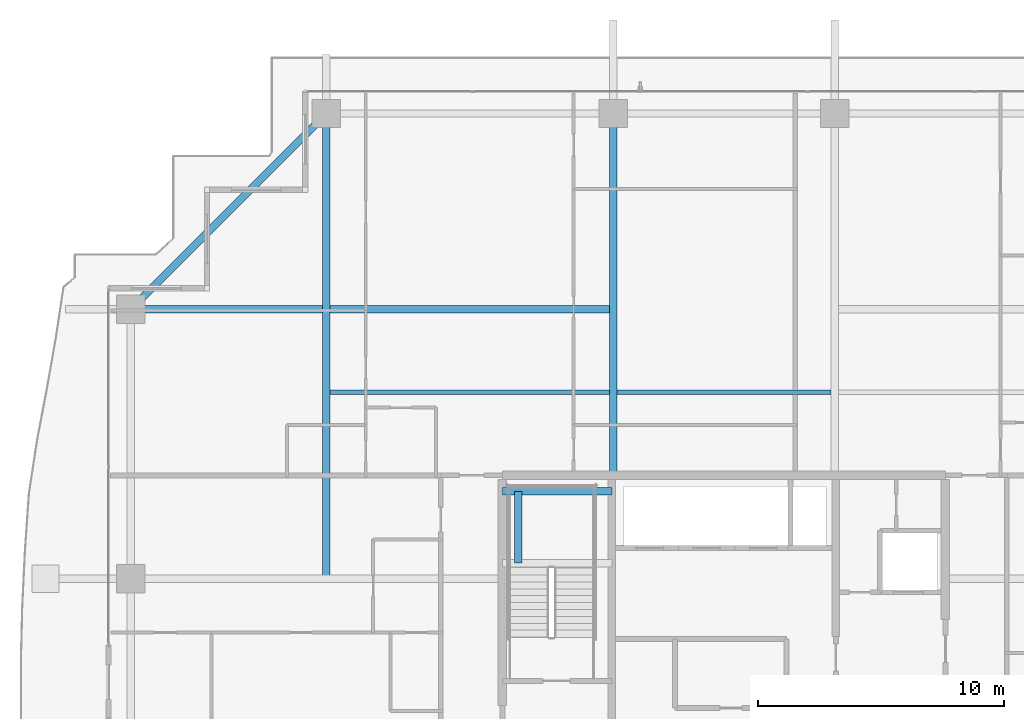
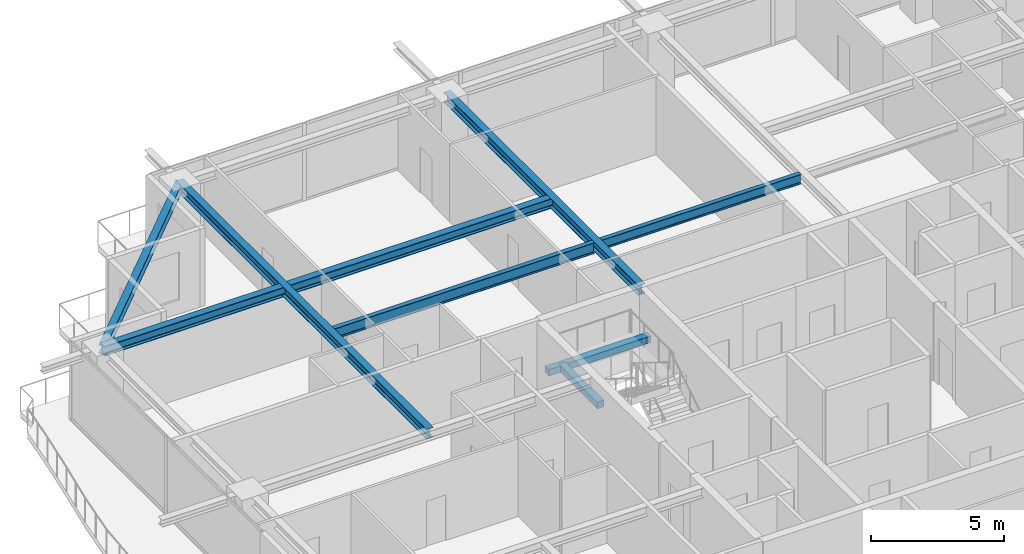
# One storey, part 17 of 37: 8 beams.
"""IFC4 building model written with IfcOpenShell, lengths in metres."""

from ifc_helpers import new_model, si_unit, direction, frame, origin, origin_2d, place, context, subcontext, project, spatial, rectangle, i_section, extrude, source, transform, mapped, material, material_profile, profile_set, type_object, element, save


model = new_model("IFC4")

# Units and contexts
model_context = context("Model", 3, precision=1e-05, world=origin(), true_north=direction((0.0, 1.0)))
body_context = subcontext(model_context, "Body", "Model", "MODEL_VIEW")
ifc_project = project(units=[si_unit("LENGTHUNIT", "METRE"), si_unit("AREAUNIT", "SQUARE_METRE"), si_unit("VOLUMEUNIT", "CUBIC_METRE"), si_unit("PLANEANGLEUNIT", "RADIAN"), si_unit("MASSUNIT", "GRAM", prefix="KILO")], contexts=[model_context])

# Site, building, storey
site_placement = place(None, origin())
site = spatial("IfcSite", under=ifc_project, at=site_placement, CompositionType="ELEMENT")
building_placement = place(site_placement, origin())
building = spatial("IfcBuilding", under=site, at=building_placement, Name="Serunith Strait Residences", CompositionType="ELEMENT")
storey_placement = place(building_placement, frame((0.0, 0.0, 218.14990234375)))
storey = spatial("IfcBuildingStorey", under=building, at=storey_placement, Name="L54", CompositionType="ELEMENT", Elevation=218.14990234375)

# Beams
ifc_material_1 = material(Name="Steel S355J2", Category="steel")
ifc_material_profile_1 = material_profile(ifc_material_1, i_section(OverallWidth=0.18994140625, OverallDepth=0.449951171875, WebThickness=0.009521484375, FlangeThickness=0.0146484375, FilletRadius=0.02099609375, at=origin_2d()), Name="IPE 450")
ifc_profile_set_1 = profile_set([ifc_material_profile_1], Name="Steel S355J2")
beam_type_1 = type_object("IfcBeamType", Name="BM-IPE450", PredefinedType="JOIST", material=ifc_profile_set_1)
shared_shape_1 = source(origin(), body_context, "Body", "SweptSolid", [
    extrude(i_section(OverallWidth=0.18994140625, OverallDepth=0.449951171875, WebThickness=0.009521484375, FlangeThickness=0.0146484375, FilletRadius=0.02099609375, at=origin_2d()), origin(), (0.0, 0.0, 1.0), 8.699951171875),
])
beam_1_placement = place(storey_placement, frame((28.050048828125, 36.97509765625, 3.362060546875), z_axis=(1.0, 0.0, 0.0), x_axis=(0.0, 1.0, 0.0)))
element("IfcBeam", 1, at=beam_1_placement, inside=storey, type_object=beam_type_1, Name="L54 Composite Floor Joist 05", PredefinedType="JOIST", context=body_context, shape_type="MappedRepresentation", body=[
    mapped(shared_shape_1, transform((0.0, 0.0, 0.0), scale=1.0)),
])
ifc_material_profile_2 = material_profile(ifc_material_1, i_section(OverallWidth=0.300048828125, OverallDepth=0.449951171875, WebThickness=0.013916015625, FlangeThickness=0.02587890625, FilletRadius=0.027099609375, at=origin_2d()), Name="HEB 450")
ifc_profile_set_2 = profile_set([ifc_material_profile_2], Name="Steel S355J2")
beam_type_2 = type_object("IfcBeamType", Name="BM-HEB450", PredefinedType="BEAM", material=ifc_profile_set_2)
shared_shape_2 = source(origin(), body_context, "Body", "SweptSolid", [
    extrude(i_section(OverallWidth=0.300048828125, OverallDepth=0.449951171875, WebThickness=0.013916015625, FlangeThickness=0.02587890625, FilletRadius=0.027099609375, at=origin_2d()), origin(), (0.0, 0.0, 1.0), 14.699951171875),
])
beam_2_placement = place(storey_placement, frame((27.89990234375, 33.60009765625, 3.362060546875), z_axis=(0.0, 1.0, 0.0), x_axis=(-1.0, 0.0, 0.0)))
element("IfcBeam", 2, at=beam_2_placement, inside=storey, type_object=beam_type_2, Name="L54 Primary Floor Girder TC-N2", PredefinedType="BEAM", context=body_context, shape_type="MappedRepresentation", body=[
    mapped(shared_shape_2, transform((0.0, 0.0, 0.0), scale=1.0)),
])
shared_shape_3 = source(origin(), body_context, "Body", "SweptSolid", [
    extrude(i_section(OverallWidth=0.300048828125, OverallDepth=0.449951171875, WebThickness=0.013916015625, FlangeThickness=0.02587890625, FilletRadius=0.027099609375, at=origin_2d()), origin(), (0.0, 0.0, 1.0), 18.900146484375),
])
beam_3_placement = place(storey_placement, frame((16.25, 29.39990234375, 3.362060546875), z_axis=(0.0, 1.0, 0.0), x_axis=(-1.0, 0.0, 0.0)))
element("IfcBeam", 3, at=beam_3_placement, inside=storey, type_object=beam_type_2, Name="L54 Orthogonal Corner Girder TC-N1", PredefinedType="BEAM", context=body_context, shape_type="MappedRepresentation", body=[
    mapped(shared_shape_3, transform((0.0, 0.0, 0.0), scale=1.0)),
])
shared_shape_4 = source(origin(), body_context, "Body", "SweptSolid", [
    extrude(i_section(OverallWidth=0.300048828125, OverallDepth=0.449951171875, WebThickness=0.013916015625, FlangeThickness=0.02587890625, FilletRadius=0.027099609375, at=origin_2d()), origin(), (0.0, 0.0, 1.0), 19.599853515625),
])
beam_4_placement = place(storey_placement, frame((27.89990234375, 40.35009765625, 3.362060546875), z_axis=(-1.0, 0.0, 0.0), x_axis=(0.0, -1.0, 0.0)))
element("IfcBeam", 4, at=beam_4_placement, inside=storey, type_object=beam_type_2, Name="L54 Orthogonal Corner Girder TC-W4", PredefinedType="BEAM", context=body_context, shape_type="MappedRepresentation", body=[
    mapped(shared_shape_4, transform((0.0, 0.0, 0.0), scale=1.0)),
])
ifc_material_profile_3 = material_profile(ifc_material_1, i_section(OverallWidth=0.300048828125, OverallDepth=0.39990234375, WebThickness=0.013427734375, FlangeThickness=0.02392578125, FilletRadius=0.027099609375, at=origin_2d()), Name="HEB 400")
ifc_profile_set_3 = profile_set([ifc_material_profile_3], Name="Steel S355J2")
beam_type_3 = type_object("IfcBeamType", Name="BM-HEB400", PredefinedType="BEAM", material=ifc_profile_set_3)
shared_shape_5 = source(origin(), body_context, "Body", "SweptSolid", [
    extrude(i_section(OverallWidth=0.300048828125, OverallDepth=0.39990234375, WebThickness=0.013427734375, FlangeThickness=0.02392578125, FilletRadius=0.027099609375, at=origin_2d()), origin(), (0.0, 0.0, 1.0), 11.242919921875),
])
beam_5_placement = place(storey_placement, frame((16.25, 48.300048828125, 3.357177734375), z_axis=(-0.707106781187, -0.707106781187, 0.0), x_axis=(0.707106781187, -0.707106781187, 0.0)))
element("IfcBeam", 5, at=beam_5_placement, inside=storey, type_object=beam_type_3, Name="L54 Perimeter Ring Beam 12", PredefinedType="BEAM", context=body_context, shape_type="MappedRepresentation", body=[
    mapped(shared_shape_5, transform((0.0, 0.0, 0.0), scale=1.0)),
])
ifc_material_profile_4 = material_profile(ifc_material_1, i_section(OverallWidth=0.199951171875, OverallDepth=0.5, WebThickness=0.01025390625, FlangeThickness=0.01611328125, FilletRadius=0.02099609375, at=origin_2d()), Name="IPE 500")
ifc_profile_set_4 = profile_set([ifc_material_profile_4], Name="Steel S355J2")
beam_type_4 = type_object("IfcBeamType", Name="BM-IPE500", PredefinedType="JOIST", material=ifc_profile_set_4)
shared_shape_6 = source(origin(), body_context, "Body", "SweptSolid", [
    extrude(i_section(OverallWidth=0.199951171875, OverallDepth=0.5, WebThickness=0.01025390625, FlangeThickness=0.01611328125, FilletRadius=0.02099609375, at=origin_2d()), origin(), (0.0, 0.0, 1.0), 11.35009765625),
])
beam_6_placement = place(storey_placement, frame((16.39990234375, 36.97509765625, 3.337158203125), z_axis=(1.0, 0.0, 0.0), x_axis=(0.0, 1.0, 0.0)))
element("IfcBeam", 6, at=beam_6_placement, inside=storey, type_object=beam_type_4, Name="L54 Composite Floor Joist 04", PredefinedType="JOIST", context=body_context, shape_type="MappedRepresentation", body=[
    mapped(shared_shape_6, transform((0.0, 0.0, 0.0), scale=1.0)),
])
ifc_material_2 = material(Name="Concrete C60/75", Category="concrete")
ifc_material_profile_5 = material_profile(ifc_material_2, rectangle(XDim=0.300048828125, YDim=0.300048828125, at=origin_2d()), Name="RC 300x300")
ifc_profile_set_5 = profile_set([ifc_material_profile_5], Name="Concrete C60/75")
beam_type_5 = type_object("IfcBeamType", Name="BM-LAND-300x300", PredefinedType="BEAM", material=ifc_profile_set_5)
shared_shape_7 = source(origin(), body_context, "Body", "SweptSolid", [
    extrude(rectangle(XDim=0.300048828125, YDim=0.300048828125, at=origin_2d()), origin(), (0.0, 0.0, 1.0), 4.4501953125),
])
beam_7_placement = place(storey_placement, frame((23.39990234375, 32.949951171875, 1.5751953125), z_axis=(1.0, 0.0, 0.0), x_axis=(0.0, 1.0, 0.0)))
element("IfcBeam", 7, at=beam_7_placement, inside=storey, type_object=beam_type_5, Name="L54 ST-1 Landing Support Beam 2", PredefinedType="BEAM", context=body_context, shape_type="MappedRepresentation", body=[
    mapped(shared_shape_7, transform((0.0, 0.0, 0.0), scale=1.0)),
])
shared_shape_8 = source(origin(), body_context, "Body", "SweptSolid", [
    extrude(rectangle(XDim=0.300048828125, YDim=0.300048828125, at=origin_2d()), origin(), (0.0, 0.0, 1.0), 2.919921875),
])
beam_8_placement = place(storey_placement, frame((24.050048828125, 30.030029296875, 1.5751953125), z_axis=(0.0, 1.0, 0.0), x_axis=(-1.0, 0.0, 0.0)))
element("IfcBeam", 8, at=beam_8_placement, inside=storey, type_object=beam_type_5, Name="L54 ST-1 Landing Transverse Tie Beam", PredefinedType="BEAM", context=body_context, shape_type="MappedRepresentation", body=[
    mapped(shared_shape_8, transform((0.0, 0.0, 0.0), scale=1.0)),
])

save(model, "model.ifc")
